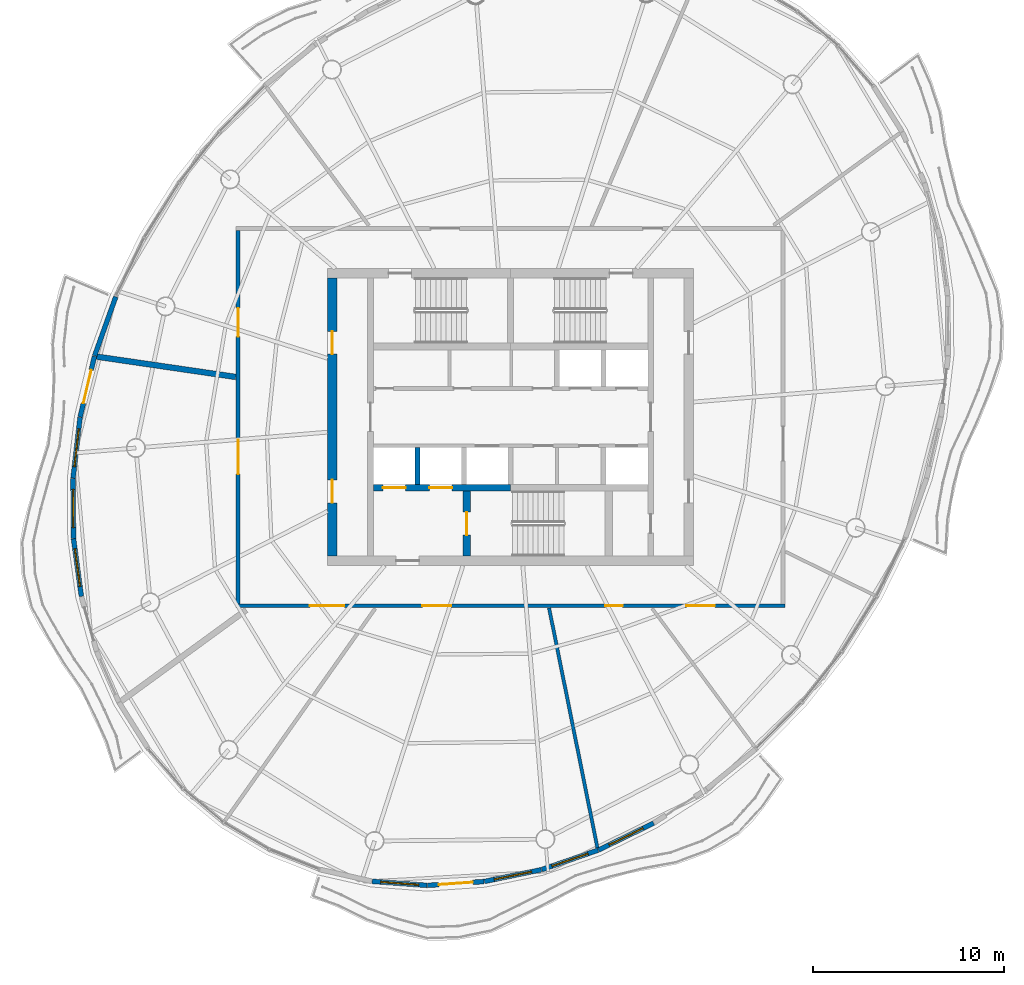
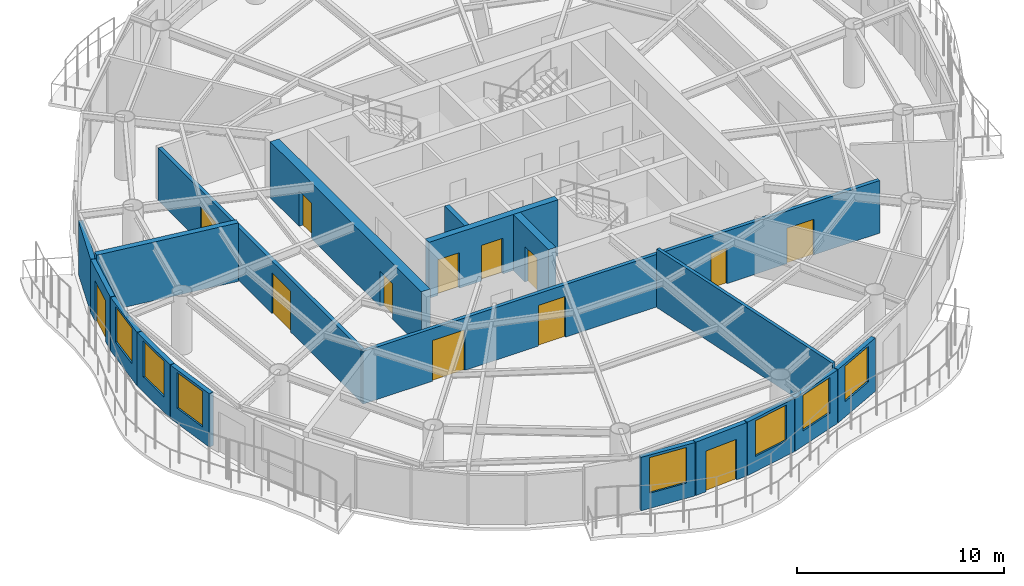
# One storey, part 8 of 14: 18 walls, 13 doors, 7 windows, 20 openings.
"""IFC4 building model written with IfcOpenShell, lengths in metres."""

from ifc_helpers import new_model, si_unit, direction, frame, frame_2d, origin, place, context, subcontext, project, spatial, rectangle, extrude, material, layer, layer_set, type_object, element, fill, save


model = new_model("IFC4")

# Units and contexts
model_context = context("Model", 3, precision=1e-05, world=origin(), true_north=direction((0.0, 1.0)))
body_context = subcontext(model_context, "Body", "Model", "MODEL_VIEW")
ifc_project = project(units=[si_unit("LENGTHUNIT", "METRE"), si_unit("AREAUNIT", "SQUARE_METRE"), si_unit("VOLUMEUNIT", "CUBIC_METRE"), si_unit("PLANEANGLEUNIT", "RADIAN"), si_unit("MASSUNIT", "GRAM", prefix="KILO")], contexts=[model_context])

# Site, building, storey
site_placement = place(None, origin())
site = spatial("IfcSite", under=ifc_project, at=site_placement, CompositionType="ELEMENT")
building_placement = place(site_placement, origin())
building = spatial("IfcBuilding", under=site, at=building_placement, Name="Vermilion Reach Broadcast Tower", CompositionType="ELEMENT")
storey_placement = place(building_placement, frame((0.0, 0.0, 254.10009765625)))
storey = spatial("IfcBuildingStorey", under=building, at=storey_placement, Name="L62", CompositionType="ELEMENT", Elevation=254.10009765625)

# Wall, openings, doors
ifc_material_1 = material(Name="Concrete C50", Category="concrete")
ifc_layer_1 = layer(ifc_material_1, 0.35009765625)
ifc_layer_set_1 = layer_set([ifc_layer_1], Name="Core inner wall 350 mm Concrete C50")
wall_type_1 = type_object("IfcWallType", Name="Core inner wall 350 mm Concrete C50", PredefinedType="SHEAR", material=ifc_layer_set_1)
wall_1_placement = place(storey_placement, frame((-13.199951171875, -3.705078125, 0.0), z_axis=(0.0, 0.0, 1.0), x_axis=(1.0, 0.0, 0.0)))
wall_1 = element("IfcWall", 1, at=wall_1_placement, inside=storey, type_object=wall_type_1, Name="L62 core wall wisW", PredefinedType="SHEAR", context=body_context, shape_type="SweptSolid", body=[
    extrude(rectangle(XDim=7.199951171875, YDim=0.35009765625, at=frame_2d((3.60009765625, 0.0))), origin(), (0.0, 0.0, 1.0), 3.2998046875),
])
opening_1_placement = place(wall_1_placement, frame((0.495849609375, 0.0, 0.0)))
opening_1 = element("IfcOpeningElement", 2, at=opening_1_placement, cuts=wall_1, Name="Opening LD1", PredefinedType="OPENING", context=body_context, shape_type="SweptSolid", body=[
    extrude(rectangle(XDim=1.199951171875, YDim=2.10009765625, at=frame_2d((0.60009765625, 1.050048828125))), frame((0.0, 0.18505859375, 0.0), z_axis=(0.0, -1.0, 0.0), x_axis=(1.0, 0.0, 0.0)), (0.0, 0.0, 1.0), 0.3701171875),
])
opening_2_placement = place(wall_1_placement, frame((2.9375, 0.0, 0.0)))
opening_2 = element("IfcOpeningElement", 3, at=opening_2_placement, cuts=wall_1, Name="Opening LD1", PredefinedType="OPENING", context=body_context, shape_type="SweptSolid", body=[
    extrude(rectangle(XDim=1.199951171875, YDim=2.10009765625, at=frame_2d((0.60009765625, 1.050048828125))), frame((0.0, 0.18505859375, 0.0), z_axis=(0.0, -1.0, 0.0), x_axis=(1.0, 0.0, 0.0)), (0.0, 0.0, 1.0), 0.3701171875),
])
ifc_material_2 = material(Name="Stainless steel", Category="steel")
door_type_1 = type_object("IfcDoorType", Name="Landing door 1200 x 2100", OperationType="DOUBLE_DOOR_SLIDING", PredefinedType="NOTDEFINED", material=ifc_material_2)
door_1_placement = place(opening_1_placement, origin())
door_1 = element("IfcDoor", 4, at=door_1_placement, inside=storey, type_object=door_type_1, Name="L62 landing door FF1", OperationType="DOUBLE_DOOR_SLIDING", OverallHeight=2.10009765625, OverallWidth=1.199951171875, PredefinedType="NOTDEFINED", context=body_context, shape_type="SweptSolid", body=[
    extrude(rectangle(XDim=1.199951171875, YDim=2.10009765625, at=frame_2d((0.60009765625, 1.050048828125))), frame((0.0, 0.02490234375, 0.0), z_axis=(0.0, -1.0, 0.0), x_axis=(1.0, 0.0, 0.0)), (0.0, 0.0, 1.0), 0.050048828125),
])
fill(opening_1, door_1)
door_2_placement = place(opening_2_placement, origin())
door_2 = element("IfcDoor", 5, at=door_2_placement, inside=storey, type_object=door_type_1, Name="L62 landing door FF2", OperationType="DOUBLE_DOOR_SLIDING", OverallHeight=2.10009765625, OverallWidth=1.199951171875, PredefinedType="NOTDEFINED", context=body_context, shape_type="SweptSolid", body=[
    extrude(rectangle(XDim=1.199951171875, YDim=2.10009765625, at=frame_2d((0.60009765625, 1.050048828125))), frame((0.0, 0.02490234375, 0.0), z_axis=(0.0, -1.0, 0.0), x_axis=(1.0, 0.0, 0.0)), (0.0, 0.0, 1.0), 0.050048828125),
])
fill(opening_2, door_2)

# Wall, opening, door
ifc_material_3 = material(Name="Concrete C50", Category="concrete")
ifc_layer_2 = layer(ifc_material_3, 0.39990234375)
ifc_layer_set_2 = layer_set([ifc_layer_2], Name="Core inner wall 400 mm Concrete C50")
wall_type_2 = type_object("IfcWallType", Name="Core inner wall 400 mm Concrete C50", PredefinedType="SHEAR", material=ifc_layer_set_2)
wall_2_placement = place(storey_placement, frame((-8.300048828125, -3.8798828125, 0.0), z_axis=(0.0, 0.0, 1.0), x_axis=(0.0, -1.0, 0.0)))
wall_2 = element("IfcWall", 6, at=wall_2_placement, inside=storey, type_object=wall_type_2, Name="L62 core wall wa", PredefinedType="SHEAR", context=body_context, shape_type="SweptSolid", body=[
    extrude(rectangle(XDim=3.420166015625, YDim=0.39990234375, at=frame_2d((1.7099609375, 0.0))), origin(), (0.0, 0.0, 1.0), 3.2998046875),
])
opening_3_placement = place(wall_2_placement, frame((1.110107421875, 0.0, 0.0)))
opening_3 = element("IfcOpeningElement", 7, at=opening_3_placement, cuts=wall_2, Name="Opening D01", PredefinedType="OPENING", context=body_context, shape_type="SweptSolid", body=[
    extrude(rectangle(XDim=1.199951171875, YDim=2.10009765625, at=frame_2d((0.60009765625, 1.050048828125))), frame((0.0, 0.2099609375, 0.0), z_axis=(0.0, -1.0, 0.0), x_axis=(1.0, 0.0, 0.0)), (0.0, 0.0, 1.0), 0.419921875),
])
ifc_material_4 = material(Name="Painted steel fire door", Category="steel")
door_type_2 = type_object("IfcDoorType", Name="Stair door 1200 x 2100", OperationType="DOUBLE_DOOR_SINGLE_SWING", PredefinedType="NOTDEFINED", material=ifc_material_4)
door_3_placement = place(opening_3_placement, origin())
door_3 = element("IfcDoor", 8, at=door_3_placement, inside=storey, type_object=door_type_2, Name="L62 stair door ST3", OperationType="DOUBLE_DOOR_SINGLE_SWING", OverallHeight=2.10009765625, OverallWidth=1.199951171875, PredefinedType="NOTDEFINED", context=body_context, shape_type="SweptSolid", body=[
    extrude(rectangle(XDim=1.199951171875, YDim=2.10009765625, at=frame_2d((0.60009765625, 1.050048828125))), frame((0.0, 0.02490234375, 0.0), z_axis=(0.0, -1.0, 0.0), x_axis=(1.0, 0.0, 0.0)), (0.0, 0.0, 1.0), 0.050048828125),
])
fill(opening_3, door_3)

# Wall, openings, doors
ifc_material_5 = material(Name="Concrete C50", Category="concrete")
ifc_layer_3 = layer(ifc_material_5, 0.5)
ifc_layer_set_3 = layer_set([ifc_layer_3], Name="Core outer wall 500 mm Concrete C50")
wall_type_3 = type_object("IfcWallType", Name="Core outer wall 500 mm Concrete C50", PredefinedType="SHEAR", material=ifc_layer_set_3)
wall_3_placement = place(storey_placement, frame((-15.35009765625, 7.300048828125, 0.0), z_axis=(0.0, 0.0, 1.0), x_axis=(0.0, -1.0, 0.0)))
wall_3 = element("IfcWall", 9, at=wall_3_placement, inside=storey, type_object=wall_type_3, Name="L62 core wall ow", PredefinedType="SHEAR", context=body_context, shape_type="SweptSolid", body=[
    extrude(rectangle(XDim=14.60009765625, YDim=0.5, at=frame_2d((7.300048828125, 0.0))), origin(), (0.0, 0.0, 1.0), 3.2998046875),
])
opening_4_placement = place(wall_3_placement, frame((10.60009765625, 0.0, 0.0)))
opening_4 = element("IfcOpeningElement", 10, at=opening_4_placement, cuts=wall_3, Name="Opening D03", PredefinedType="OPENING", context=body_context, shape_type="SweptSolid", body=[
    extrude(rectangle(XDim=1.199951171875, YDim=2.10009765625, at=frame_2d((0.60009765625, 1.050048828125))), frame((0.0, 0.260009765625, 0.0), z_axis=(0.0, -1.0, 0.0), x_axis=(1.0, 0.0, 0.0)), (0.0, 0.0, 1.0), 0.52001953125),
])
opening_5_placement = place(wall_3_placement, frame((2.800048828125, 0.0, 0.0)))
opening_5 = element("IfcOpeningElement", 11, at=opening_5_placement, cuts=wall_3, Name="Opening D03", PredefinedType="OPENING", context=body_context, shape_type="SweptSolid", body=[
    extrude(rectangle(XDim=1.199951171875, YDim=2.10009765625, at=frame_2d((0.60009765625, 1.050048828125))), frame((0.0, 0.260009765625, 0.0), z_axis=(0.0, -1.0, 0.0), x_axis=(1.0, 0.0, 0.0)), (0.0, 0.0, 1.0), 0.52001953125),
])
ifc_material_6 = material(Name="Painted steel fire door", Category="steel")
door_type_3 = type_object("IfcDoorType", Name="Core lobby door 1200 x 2100", OperationType="DOUBLE_DOOR_SINGLE_SWING", PredefinedType="NOTDEFINED", material=ifc_material_6)
door_4_placement = place(opening_4_placement, origin())
door_4 = element("IfcDoor", 12, at=door_4_placement, inside=storey, type_object=door_type_3, Name="L62 slot door W0", OperationType="DOUBLE_DOOR_SINGLE_SWING", OverallHeight=2.10009765625, OverallWidth=1.199951171875, PredefinedType="NOTDEFINED", context=body_context, shape_type="SweptSolid", body=[
    extrude(rectangle(XDim=1.199951171875, YDim=2.10009765625, at=frame_2d((0.60009765625, 1.050048828125))), frame((0.0, 0.02490234375, 0.0), z_axis=(0.0, -1.0, 0.0), x_axis=(1.0, 0.0, 0.0)), (0.0, 0.0, 1.0), 0.050048828125),
])
fill(opening_4, door_4)
door_5_placement = place(opening_5_placement, origin())
door_5 = element("IfcDoor", 13, at=door_5_placement, inside=storey, type_object=door_type_3, Name="L62 slot door W1", OperationType="DOUBLE_DOOR_SINGLE_SWING", OverallHeight=2.10009765625, OverallWidth=1.199951171875, PredefinedType="NOTDEFINED", context=body_context, shape_type="SweptSolid", body=[
    extrude(rectangle(XDim=1.199951171875, YDim=2.10009765625, at=frame_2d((0.60009765625, 1.050048828125))), frame((0.0, 0.02490234375, 0.0), z_axis=(0.0, -1.0, 0.0), x_axis=(1.0, 0.0, 0.0)), (0.0, 0.0, 1.0), 0.050048828125),
])
fill(opening_5, door_5)

# Walls
ifc_material_7 = material(Name="Concrete C50", Category="concrete")
ifc_layer_4 = layer(ifc_material_7, 0.25)
ifc_layer_set_4 = layer_set([ifc_layer_4], Name="Core shaft wall 250 mm Concrete C50")
wall_type_4 = type_object("IfcWallType", Name="Core shaft wall 250 mm Concrete C50", PredefinedType="SHEAR", material=ifc_layer_set_4)
wall_4_placement = place(storey_placement, frame((-10.88330078125, -1.60009765625, 0.0), z_axis=(0.0, 0.0, 1.0), x_axis=(0.0, -1.0, 0.0)))
element("IfcWall", 14, at=wall_4_placement, inside=storey, type_object=wall_type_4, Name="L62 core wall psS0", PredefinedType="SHEAR", context=body_context, shape_type="SweptSolid", body=[
    extrude(rectangle(XDim=1.929931640625, YDim=0.25, at=frame_2d((0.96484375, 0.0))), origin(), (0.0, 0.0, 1.0), 3.2998046875),
])
ifc_material_8 = material(Name="Fire-rated block, plastered")
ifc_layer_5 = layer(ifc_material_8, 0.175048828125)
ifc_layer_set_5 = layer_set([ifc_layer_5], Name="Partition 175 fire-rated block")
wall_type_5 = type_object("IfcWallType", Name="Partition 175 fire-rated block", PredefinedType="PARTITIONING", material=ifc_layer_set_5)
wall_5_placement = place(storey_placement, frame((-1.44140625, -22.607421875, 0.0), z_axis=(0.0, 0.0, 1.0), x_axis=(-0.197654886064, 0.980271669495, 0.0)))
element("IfcWall", 15, at=wall_5_placement, inside=storey, type_object=wall_type_5, Name="Partition 62.06", PredefinedType="PARTITIONING", context=body_context, shape_type="SweptSolid", body=[
    extrude(rectangle(XDim=12.843505859375, YDim=0.175048828125, at=frame_2d((6.421875, 0.0))), origin(), (0.0, 0.0, 1.0), 3.449951171875),
])
ifc_material_9 = material(Name="Double-leaf plasterboard on isolated steel stud", Category="steel")
ifc_layer_6 = layer(ifc_material_9, 0.300048828125)
ifc_layer_set_6 = layer_set([ifc_layer_6], Name="Partition 300 acoustic double leaf")
wall_type_6 = type_object("IfcWallType", Name="Partition 300 acoustic double leaf", PredefinedType="PARTITIONING", material=ifc_layer_set_6)
wall_6_placement = place(storey_placement, frame((-27.71240234375, 3.1708984375, 0.0), z_axis=(0.0, 0.0, 1.0), x_axis=(0.98950467143, -0.144500883103, 0.0)))
element("IfcWall", 16, at=wall_6_placement, inside=storey, type_object=wall_type_6, Name="Partition 62.03", PredefinedType="PARTITIONING", context=body_context, shape_type="SweptSolid", body=[
    extrude(rectangle(XDim=7.3681640625, YDim=0.300048828125, at=frame_2d((3.68408203125, 0.0))), origin(), (0.0, 0.0, 1.0), 3.449951171875),
])
ifc_material_10 = material(Name="Terracotta rainscreen cladding", Category="masonry")
ifc_layer_7 = layer(ifc_material_10, 0.25)
ifc_layer_set_7 = layer_set([ifc_layer_7], Name="Terracotta rainscreen wall 250")
wall_type_7 = type_object("IfcWallType", Name="Terracotta rainscreen wall 250", PredefinedType="SOLIDWALL", material=ifc_layer_set_7)
wall_7_placement = place(storey_placement, frame((-26.717529296875, 6.3134765625, 0.0), z_axis=(0.0, 0.0, 1.0), x_axis=(-0.337652360294, -0.941270887464, 0.0)))
element("IfcWall", 17, at=wall_7_placement, inside=storey, type_object=wall_type_7, Name="External wall L62 14", PredefinedType="SOLIDWALL", context=body_context, shape_type="SweptSolid", body=[
    extrude(rectangle(XDim=3.289794921875, YDim=0.25, at=frame_2d((1.64501953125, 0.0))), origin(), (0.0, 0.0, 1.0), 3.14990234375),
])

# Wall, opening, door
wall_8_placement = place(storey_placement, frame((-27.834716796875, 3.195556640625, 0.0), z_axis=(0.0, 0.0, 1.0), x_axis=(-0.229620288748, -0.973280290048, 0.0)))
wall_8 = element("IfcWall", 18, at=wall_8_placement, inside=storey, type_object=wall_type_7, Name="External wall L62 15", PredefinedType="SOLIDWALL", context=body_context, shape_type="SweptSolid", body=[
    extrude(rectangle(XDim=3.279052734375, YDim=0.25, at=frame_2d((1.6396484375, 0.0))), origin(), (0.0, 0.0, 1.0), 3.14990234375),
])
opening_6_placement = place(wall_8_placement, frame((0.739990234375, 0.0, 0.0)))
opening_6 = element("IfcOpeningElement", 19, at=opening_6_placement, cuts=wall_8, Name="Opening D70", PredefinedType="OPENING", context=body_context, shape_type="SweptSolid", body=[
    extrude(rectangle(XDim=1.800048828125, YDim=2.39990234375, at=frame_2d((0.89990234375, 1.199951171875))), frame((0.0, 0.135009765625, 0.0), z_axis=(0.0, -1.0, 0.0), x_axis=(1.0, 0.0, 0.0)), (0.0, 0.0, 1.0), 0.27001953125),
])
ifc_material_11 = material(Name="Low-e laminated clear glass in aluminium frame", Category="aluminium")
door_type_4 = type_object("IfcDoorType", Name="Balcony sliding door 1800 x 2400", OperationType="DOUBLE_DOOR_SLIDING", PredefinedType="DOOR", material=ifc_material_11)
door_6_placement = place(opening_6_placement, origin())
door_6 = element("IfcDoor", 20, at=door_6_placement, inside=storey, type_object=door_type_4, Name="Balcony door L62 run 04", OperationType="DOUBLE_DOOR_SLIDING", OverallHeight=2.39990234375, OverallWidth=1.800048828125, PredefinedType="DOOR", context=body_context, shape_type="SweptSolid", body=[
    extrude(rectangle(XDim=1.800048828125, YDim=2.39990234375, at=frame_2d((0.89990234375, 1.199951171875))), frame((0.0, 0.02490234375, 0.0), z_axis=(0.0, -1.0, 0.0), x_axis=(1.0, 0.0, 0.0)), (0.0, 0.0, 1.0), 0.050048828125),
])
fill(opening_6, door_6)

# Wall, opening, window
wall_9_placement = place(storey_placement, frame((-28.591552734375, -0.01806640625, 0.0), z_axis=(0.0, 0.0, 1.0), x_axis=(-0.114612561175, -0.993410268127, 0.0)))
wall_9 = element("IfcWall", 21, at=wall_9_placement, inside=storey, type_object=wall_type_7, Name="External wall L62 16", PredefinedType="SOLIDWALL", context=body_context, shape_type="SweptSolid", body=[
    extrude(rectangle(XDim=3.210205078125, YDim=0.25, at=frame_2d((1.60498046875, 0.0))), origin(), (0.0, 0.0, 1.0), 3.14990234375),
])
opening_7_placement = place(wall_9_placement, frame((0.60498046875, 0.0, 0.89990234375)))
opening_7 = element("IfcOpeningElement", 22, at=opening_7_placement, cuts=wall_9, Name="Opening W03", PredefinedType="OPENING", context=body_context, shape_type="SweptSolid", body=[
    extrude(rectangle(XDim=2.0, YDim=2.10009765625, at=frame_2d((1.0, 1.050048828125))), frame((0.0, 0.135009765625, 0.0), z_axis=(0.0, -1.0, 0.0), x_axis=(1.0, 0.0, 0.0)), (0.0, 0.0, 1.0), 0.27001953125),
])
ifc_material_12 = material(Name="Low-e laminated clear glass in aluminium frame", Category="aluminium")
window_type = type_object("IfcWindowType", Name="Punched window 2000 x 2100 sill 900", PartitioningType="SINGLE_PANEL", PredefinedType="WINDOW", material=ifc_material_12)
window_1_placement = place(opening_7_placement, origin())
window_1 = element("IfcWindow", 23, at=window_1_placement, inside=storey, type_object=window_type, Name="Window L62 16", OverallHeight=2.10009765625, OverallWidth=2.0, PartitioningType="SINGLE_PANEL", PredefinedType="WINDOW", context=body_context, shape_type="SweptSolid", body=[
    extrude(rectangle(XDim=2.0, YDim=2.10009765625, at=frame_2d((1.0, 1.050048828125))), frame((0.0, 0.030029296875, 0.0), z_axis=(0.0, -1.0, 0.0), x_axis=(1.0, 0.0, 0.0)), (0.0, 0.0, 1.0), 0.06005859375),
])
fill(opening_7, window_1)

wall_10_placement = place(storey_placement, frame((-28.960693359375, -3.230224609375, 0.0), z_axis=(0.0, 0.0, 1.0), x_axis=(0.007406626712, -0.999972570564, 0.0)))
wall_10 = element("IfcWall", 24, at=wall_10_placement, inside=storey, type_object=wall_type_7, Name="External wall L62 17", PredefinedType="SOLIDWALL", context=body_context, shape_type="SweptSolid", body=[
    extrude(rectangle(XDim=3.13134765625, YDim=0.25, at=frame_2d((1.565673828125, 0.0))), origin(), (0.0, 0.0, 1.0), 3.14990234375),
])
opening_8_placement = place(wall_10_placement, frame((0.565673828125, 0.0, 0.89990234375)))
opening_8 = element("IfcOpeningElement", 25, at=opening_8_placement, cuts=wall_10, Name="Opening W03", PredefinedType="OPENING", context=body_context, shape_type="SweptSolid", body=[
    extrude(rectangle(XDim=2.0, YDim=2.10009765625, at=frame_2d((1.0, 1.050048828125))), frame((0.0, 0.135009765625, 0.0), z_axis=(0.0, -1.0, 0.0), x_axis=(1.0, 0.0, 0.0)), (0.0, 0.0, 1.0), 0.27001953125),
])
window_2_placement = place(opening_8_placement, origin())
window_2 = element("IfcWindow", 26, at=window_2_placement, inside=storey, type_object=window_type, Name="Window L62 17", OverallHeight=2.10009765625, OverallWidth=2.0, PartitioningType="SINGLE_PANEL", PredefinedType="WINDOW", context=body_context, shape_type="SweptSolid", body=[
    extrude(rectangle(XDim=2.0, YDim=2.10009765625, at=frame_2d((1.0, 1.050048828125))), frame((0.0, 0.030029296875, 0.0), z_axis=(0.0, -1.0, 0.0), x_axis=(1.0, 0.0, 0.0)), (0.0, 0.0, 1.0), 0.06005859375),
])
fill(opening_8, window_2)

wall_11_placement = place(storey_placement, frame((-28.935791015625, -6.3857421875, 0.0), z_axis=(0.0, 0.0, 1.0), x_axis=(0.135295507902, -0.990805291438, 0.0)))
wall_11 = element("IfcWall", 27, at=wall_11_placement, inside=storey, type_object=wall_type_7, Name="External wall L62 18", PredefinedType="SOLIDWALL", context=body_context, shape_type="SweptSolid", body=[
    extrude(rectangle(XDim=3.0478515625, YDim=0.25, at=frame_2d((1.52392578125, 0.0))), origin(), (0.0, 0.0, 1.0), 3.14990234375),
])
opening_9_placement = place(wall_11_placement, frame((0.52392578125, 0.0, 0.89990234375)))
opening_9 = element("IfcOpeningElement", 28, at=opening_9_placement, cuts=wall_11, Name="Opening W03", PredefinedType="OPENING", context=body_context, shape_type="SweptSolid", body=[
    extrude(rectangle(XDim=2.0, YDim=2.10009765625, at=frame_2d((1.0, 1.050048828125))), frame((0.0, 0.135009765625, 0.0), z_axis=(0.0, -1.0, 0.0), x_axis=(1.0, 0.0, 0.0)), (0.0, 0.0, 1.0), 0.27001953125),
])
window_3_placement = place(opening_9_placement, origin())
window_3 = element("IfcWindow", 29, at=window_3_placement, inside=storey, type_object=window_type, Name="Window L62 18", OverallHeight=2.10009765625, OverallWidth=2.0, PartitioningType="SINGLE_PANEL", PredefinedType="WINDOW", context=body_context, shape_type="SweptSolid", body=[
    extrude(rectangle(XDim=2.0, YDim=2.10009765625, at=frame_2d((1.0, 1.050048828125))), frame((0.0, 0.030029296875, 0.0), z_axis=(0.0, -1.0, 0.0), x_axis=(1.0, 0.0, 0.0)), (0.0, 0.0, 1.0), 0.06005859375),
])
fill(opening_9, window_3)

wall_12_placement = place(storey_placement, frame((-13.26123046875, -24.36181640625, 0.0), z_axis=(0.0, 0.0, 1.0), x_axis=(0.997260599476, -0.073968214338, 0.0)))
wall_12 = element("IfcWall", 30, at=wall_12_placement, inside=storey, type_object=wall_type_7, Name="External wall L62 27", PredefinedType="SOLIDWALL", context=body_context, shape_type="SweptSolid", body=[
    extrude(rectangle(XDim=2.887939453125, YDim=0.25, at=frame_2d((1.44384765625, 0.0))), origin(), (0.0, 0.0, 1.0), 3.14990234375),
])
opening_10_placement = place(wall_12_placement, frame((0.444091796875, 0.0, 0.89990234375)))
opening_10 = element("IfcOpeningElement", 31, at=opening_10_placement, cuts=wall_12, Name="Opening W03", PredefinedType="OPENING", context=body_context, shape_type="SweptSolid", body=[
    extrude(rectangle(XDim=2.0, YDim=2.10009765625, at=frame_2d((1.0, 1.050048828125))), frame((0.0, 0.135009765625, 0.0), z_axis=(0.0, -1.0, 0.0), x_axis=(1.0, 0.0, 0.0)), (0.0, 0.0, 1.0), 0.27001953125),
])
window_4_placement = place(opening_10_placement, origin())
window_4 = element("IfcWindow", 32, at=window_4_placement, inside=storey, type_object=window_type, Name="Window L62 27", OverallHeight=2.10009765625, OverallWidth=2.0, PartitioningType="SINGLE_PANEL", PredefinedType="WINDOW", context=body_context, shape_type="SweptSolid", body=[
    extrude(rectangle(XDim=2.0, YDim=2.10009765625, at=frame_2d((1.0, 1.050048828125))), frame((0.0, 0.030029296875, 0.0), z_axis=(0.0, -1.0, 0.0), x_axis=(1.0, 0.0, 0.0)), (0.0, 0.0, 1.0), 0.06005859375),
])
fill(opening_10, window_4)

# Wall, opening, door
wall_13_placement = place(storey_placement, frame((-10.35546875, -24.575439453125, 0.0), z_axis=(0.0, 0.0, 1.0), x_axis=(0.99766702353, 0.068267929221, 0.0)))
wall_13 = element("IfcWall", 33, at=wall_13_placement, inside=storey, type_object=wall_type_7, Name="External wall L62 28", PredefinedType="SOLIDWALL", context=body_context, shape_type="SweptSolid", body=[
    extrude(rectangle(XDim=2.964599609375, YDim=0.25, at=frame_2d((1.482421875, 0.0))), origin(), (0.0, 0.0, 1.0), 3.14990234375),
])
opening_11_placement = place(wall_13_placement, frame((0.58203125, 0.0, 0.0)))
opening_11 = element("IfcOpeningElement", 34, at=opening_11_placement, cuts=wall_13, Name="Opening D70", PredefinedType="OPENING", context=body_context, shape_type="SweptSolid", body=[
    extrude(rectangle(XDim=1.800048828125, YDim=2.39990234375, at=frame_2d((0.89990234375, 1.199951171875))), frame((0.0, 0.135009765625, 0.0), z_axis=(0.0, -1.0, 0.0), x_axis=(1.0, 0.0, 0.0)), (0.0, 0.0, 1.0), 0.27001953125),
])
door_7_placement = place(opening_11_placement, origin())
door_7 = element("IfcDoor", 35, at=door_7_placement, inside=storey, type_object=door_type_4, Name="Balcony door L62 run 07", OperationType="DOUBLE_DOOR_SLIDING", OverallHeight=2.39990234375, OverallWidth=1.800048828125, PredefinedType="DOOR", context=body_context, shape_type="SweptSolid", body=[
    extrude(rectangle(XDim=1.800048828125, YDim=2.39990234375, at=frame_2d((0.89990234375, 1.199951171875))), frame((0.0, 0.02490234375, 0.0), z_axis=(0.0, -1.0, 0.0), x_axis=(1.0, 0.0, 0.0)), (0.0, 0.0, 1.0), 0.050048828125),
])
fill(opening_11, door_7)

# Wall, opening, window
wall_14_placement = place(storey_placement, frame((-7.373046875, -24.36962890625, 0.0), z_axis=(0.0, 0.0, 1.0), x_axis=(0.979363870878, 0.202104944072, 0.0)))
wall_14 = element("IfcWall", 36, at=wall_14_placement, inside=storey, type_object=wall_type_7, Name="External wall L62 29", PredefinedType="SOLIDWALL", context=body_context, shape_type="SweptSolid", body=[
    extrude(rectangle(XDim=3.0478515625, YDim=0.25, at=frame_2d((1.52392578125, 0.0))), origin(), (0.0, 0.0, 1.0), 3.14990234375),
])
opening_12_placement = place(wall_14_placement, frame((0.52392578125, 0.0, 0.89990234375)))
opening_12 = element("IfcOpeningElement", 37, at=opening_12_placement, cuts=wall_14, Name="Opening W03", PredefinedType="OPENING", context=body_context, shape_type="SweptSolid", body=[
    extrude(rectangle(XDim=2.0, YDim=2.10009765625, at=frame_2d((1.0, 1.050048828125))), frame((0.0, 0.135009765625, 0.0), z_axis=(0.0, -1.0, 0.0), x_axis=(1.0, 0.0, 0.0)), (0.0, 0.0, 1.0), 0.27001953125),
])
window_5_placement = place(opening_12_placement, origin())
window_5 = element("IfcWindow", 38, at=window_5_placement, inside=storey, type_object=window_type, Name="Window L62 29", OverallHeight=2.10009765625, OverallWidth=2.0, PartitioningType="SINGLE_PANEL", PredefinedType="WINDOW", context=body_context, shape_type="SweptSolid", body=[
    extrude(rectangle(XDim=2.0, YDim=2.10009765625, at=frame_2d((1.0, 1.050048828125))), frame((0.0, 0.030029296875, 0.0), z_axis=(0.0, -1.0, 0.0), x_axis=(1.0, 0.0, 0.0)), (0.0, 0.0, 1.0), 0.06005859375),
])
fill(opening_12, window_5)

wall_15_placement = place(storey_placement, frame((-4.364990234375, -23.747314453125, 0.0), z_axis=(0.0, 0.0, 1.0), x_axis=(0.945414397725, 0.325870551867, 0.0)))
wall_15 = element("IfcWall", 39, at=wall_15_placement, inside=storey, type_object=wall_type_7, Name="External wall L62 30", PredefinedType="SOLIDWALL", context=body_context, shape_type="SweptSolid", body=[
    extrude(rectangle(XDim=3.131591796875, YDim=0.25, at=frame_2d((1.56591796875, 0.0))), origin(), (0.0, 0.0, 1.0), 3.14990234375),
])
opening_13_placement = place(wall_15_placement, frame((0.565673828125, 0.0, 0.89990234375)))
opening_13 = element("IfcOpeningElement", 40, at=opening_13_placement, cuts=wall_15, Name="Opening W03", PredefinedType="OPENING", context=body_context, shape_type="SweptSolid", body=[
    extrude(rectangle(XDim=2.0, YDim=2.10009765625, at=frame_2d((1.0, 1.050048828125))), frame((0.0, 0.135009765625, 0.0), z_axis=(0.0, -1.0, 0.0), x_axis=(1.0, 0.0, 0.0)), (0.0, 0.0, 1.0), 0.27001953125),
])
window_6_placement = place(opening_13_placement, origin())
window_6 = element("IfcWindow", 41, at=window_6_placement, inside=storey, type_object=window_type, Name="Window L62 30", OverallHeight=2.10009765625, OverallWidth=2.0, PartitioningType="SINGLE_PANEL", PredefinedType="WINDOW", context=body_context, shape_type="SweptSolid", body=[
    extrude(rectangle(XDim=2.0, YDim=2.10009765625, at=frame_2d((1.0, 1.050048828125))), frame((0.0, 0.030029296875, 0.0), z_axis=(0.0, -1.0, 0.0), x_axis=(1.0, 0.0, 0.0)), (0.0, 0.0, 1.0), 0.06005859375),
])
fill(opening_13, window_6)

wall_16_placement = place(storey_placement, frame((-1.3828125, -22.7177734375, 0.0), z_axis=(0.0, 0.0, 1.0), x_axis=(0.898675594267, 0.438613926214, 0.0)))
wall_16 = element("IfcWall", 42, at=wall_16_placement, inside=storey, type_object=wall_type_7, Name="External wall L62 31", PredefinedType="SOLIDWALL", context=body_context, shape_type="SweptSolid", body=[
    extrude(rectangle(XDim=3.2099609375, YDim=0.25, at=frame_2d((1.60498046875, 0.0))), origin(), (0.0, 0.0, 1.0), 3.14990234375),
])
opening_14_placement = place(wall_16_placement, frame((0.60498046875, 0.0, 0.89990234375)))
opening_14 = element("IfcOpeningElement", 43, at=opening_14_placement, cuts=wall_16, Name="Opening W03", PredefinedType="OPENING", context=body_context, shape_type="SweptSolid", body=[
    extrude(rectangle(XDim=2.0, YDim=2.10009765625, at=frame_2d((1.0, 1.050048828125))), frame((0.0, 0.135009765625, 0.0), z_axis=(0.0, -1.0, 0.0), x_axis=(1.0, 0.0, 0.0)), (0.0, 0.0, 1.0), 0.27001953125),
])
window_7_placement = place(opening_14_placement, origin())
window_7 = element("IfcWindow", 44, at=window_7_placement, inside=storey, type_object=window_type, Name="Window L62 31", OverallHeight=2.10009765625, OverallWidth=2.0, PartitioningType="SINGLE_PANEL", PredefinedType="WINDOW", context=body_context, shape_type="SweptSolid", body=[
    extrude(rectangle(XDim=2.0, YDim=2.10009765625, at=frame_2d((1.0, 1.050048828125))), frame((0.0, 0.030029296875, 0.0), z_axis=(0.0, -1.0, 0.0), x_axis=(1.0, 0.0, 0.0)), (0.0, 0.0, 1.0), 0.06005859375),
])
fill(opening_14, window_7)

# Wall, openings, doors
ifc_material_13 = material(Name="Fire-rated gypsum board partition")
ifc_layer_8 = layer(ifc_material_13, 0.199951171875)
ifc_layer_set_8 = layer_set([ifc_layer_8], Name="Under girder: Corridor wall 200 fire-rated")
wall_type_8 = type_object("IfcWallType", Name="Under girder: Corridor wall 200 fire-rated", PredefinedType="PARTITIONING", material=ifc_layer_set_8)
wall_17_placement = place(storey_placement, frame((8.39990234375, -9.89990234375, 0.0), z_axis=(0.0, 0.0, 1.0), x_axis=(-1.0, 0.0, 0.0)))
wall_17 = element("IfcWall", 45, at=wall_17_placement, inside=storey, type_object=wall_type_8, Name="Corridor wall 62.S", PredefinedType="PARTITIONING", context=body_context, shape_type="SweptSolid", body=[
    extrude(rectangle(XDim=28.7998046875, YDim=0.199951171875, at=frame_2d((14.39990234375, 0.0))), origin(), (0.0, 0.0, 1.0), 3.099853515625),
])
opening_15_placement = place(wall_17_placement, frame((23.125732421875, 0.0, 0.0)))
opening_15 = element("IfcOpeningElement", 46, at=opening_15_placement, cuts=wall_17, Name="Opening D27", PredefinedType="OPENING", context=body_context, shape_type="SweptSolid", body=[
    extrude(rectangle(XDim=1.800048828125, YDim=2.39990234375, at=frame_2d((0.89990234375, 1.199951171875))), frame((0.0, 0.10986328125, 0.0), z_axis=(0.0, -1.0, 0.0), x_axis=(1.0, 0.0, 0.0)), (0.0, 0.0, 1.0), 0.219970703125),
])
opening_16_placement = place(wall_17_placement, frame((17.522705078125, 0.0, 0.0)))
opening_16 = element("IfcOpeningElement", 47, at=opening_16_placement, cuts=wall_17, Name="Opening D25", PredefinedType="OPENING", context=body_context, shape_type="SweptSolid", body=[
    extrude(rectangle(XDim=1.5, YDim=2.39990234375, at=frame_2d((0.75, 1.199951171875))), frame((0.0, 0.10986328125, 0.0), z_axis=(0.0, -1.0, 0.0), x_axis=(1.0, 0.0, 0.0)), (0.0, 0.0, 1.0), 0.219970703125),
])
opening_17_placement = place(wall_17_placement, frame((8.520263671875, 0.0, 0.0)))
opening_17 = element("IfcOpeningElement", 48, at=opening_17_placement, cuts=wall_17, Name="Opening D22", PredefinedType="OPENING", context=body_context, shape_type="SweptSolid", body=[
    extrude(rectangle(XDim=0.89990234375, YDim=2.10009765625, at=frame_2d((0.449951171875, 1.050048828125))), frame((0.0, 0.10986328125, 0.0), z_axis=(0.0, -1.0, 0.0), x_axis=(1.0, 0.0, 0.0)), (0.0, 0.0, 1.0), 0.219970703125),
])
opening_18_placement = place(wall_17_placement, frame((3.68017578125, 0.0, 0.0)))
opening_18 = element("IfcOpeningElement", 49, at=opening_18_placement, cuts=wall_17, Name="Opening D24", PredefinedType="OPENING", context=body_context, shape_type="SweptSolid", body=[
    extrude(rectangle(XDim=1.5, YDim=2.10009765625, at=frame_2d((0.75, 1.050048828125))), frame((0.0, 0.10986328125, 0.0), z_axis=(0.0, -1.0, 0.0), x_axis=(1.0, 0.0, 0.0)), (0.0, 0.0, 1.0), 0.219970703125),
])
ifc_material_14 = material(Name="Timber door leaf", Category="wood")
door_type_5 = type_object("IfcDoorType", Name="Door pair 1500x2100", OperationType="NOTDEFINED", PredefinedType="DOOR", material=ifc_material_14)
door_8_placement = place(opening_18_placement, origin())
door_8 = element("IfcDoor", 50, at=door_8_placement, inside=storey, type_object=door_type_5, Name="Door 62.07", OperationType="DOUBLE_DOOR_SINGLE_SWING", OverallHeight=2.10009765625, OverallWidth=1.5, PredefinedType="DOOR", context=body_context, shape_type="SweptSolid", body=[
    extrude(rectangle(XDim=1.5, YDim=2.10009765625, at=frame_2d((0.75, 1.050048828125))), frame((0.0, 0.02490234375, 0.0), z_axis=(0.0, -1.0, 0.0), x_axis=(1.0, 0.0, 0.0)), (0.0, 0.0, 1.0), 0.050048828125),
])
fill(opening_18, door_8)
ifc_material_15 = material(Name="Glazed timber door leaf", Category="wood")
door_type_6 = type_object("IfcDoorType", Name="Door pair 1500x2400", OperationType="NOTDEFINED", PredefinedType="DOOR", material=ifc_material_15)
door_9_placement = place(opening_16_placement, origin())
door_9 = element("IfcDoor", 51, at=door_9_placement, inside=storey, type_object=door_type_6, Name="Door 62.05", OperationType="DOUBLE_DOOR_SINGLE_SWING", OverallHeight=2.39990234375, OverallWidth=1.5, PredefinedType="DOOR", context=body_context, shape_type="SweptSolid", body=[
    extrude(rectangle(XDim=1.5, YDim=2.39990234375, at=frame_2d((0.75, 1.199951171875))), frame((0.0, 0.02490234375, 0.0), z_axis=(0.0, -1.0, 0.0), x_axis=(1.0, 0.0, 0.0)), (0.0, 0.0, 1.0), 0.050048828125),
])
fill(opening_16, door_9)
ifc_material_16 = material(Name="Acoustic timber door leaf", Category="wood")
door_type_7 = type_object("IfcDoorType", Name="Door pair 1800x2400", OperationType="NOTDEFINED", PredefinedType="DOOR", material=ifc_material_16)
door_10_placement = place(opening_15_placement, origin())
door_10 = element("IfcDoor", 52, at=door_10_placement, inside=storey, type_object=door_type_7, Name="Door 62.04", OperationType="DOUBLE_DOOR_SINGLE_SWING", OverallHeight=2.39990234375, OverallWidth=1.800048828125, PredefinedType="DOOR", context=body_context, shape_type="SweptSolid", body=[
    extrude(rectangle(XDim=1.800048828125, YDim=2.39990234375, at=frame_2d((0.89990234375, 1.199951171875))), frame((0.0, 0.02490234375, 0.0), z_axis=(0.0, -1.0, 0.0), x_axis=(1.0, 0.0, 0.0)), (0.0, 0.0, 1.0), 0.050048828125),
])
fill(opening_15, door_10)
ifc_material_17 = material(Name="Timber door leaf", Category="wood")
door_type_8 = type_object("IfcDoorType", Name="Door single 900x2100", OperationType="NOTDEFINED", PredefinedType="DOOR", material=ifc_material_17)
door_11_placement = place(opening_17_placement, origin())
door_11 = element("IfcDoor", 53, at=door_11_placement, inside=storey, type_object=door_type_8, Name="Door 62.06", OperationType="SINGLE_SWING_LEFT", OverallHeight=2.10009765625, OverallWidth=0.89990234375, PredefinedType="DOOR", context=body_context, shape_type="SweptSolid", body=[
    extrude(rectangle(XDim=0.89990234375, YDim=2.10009765625, at=frame_2d((0.449951171875, 1.050048828125))), frame((0.0, 0.02490234375, 0.0), z_axis=(0.0, -1.0, 0.0), x_axis=(1.0, 0.0, 0.0)), (0.0, 0.0, 1.0), 0.050048828125),
])
fill(opening_17, door_11)

wall_18_placement = place(storey_placement, frame((-20.300048828125, -9.800048828125, 0.0), z_axis=(0.0, 0.0, 1.0), x_axis=(0.0, 1.0, 0.0)))
wall_18 = element("IfcWall", 54, at=wall_18_placement, inside=storey, type_object=wall_type_8, Name="Corridor wall 62.W", PredefinedType="PARTITIONING", context=body_context, shape_type="SweptSolid", body=[
    extrude(rectangle(XDim=19.60009765625, YDim=0.199951171875, at=frame_2d((9.800048828125, 0.0))), origin(), (0.0, 0.0, 1.0), 3.099853515625),
])
opening_19_placement = place(wall_18_placement, frame((14.02197265625, 0.0, 0.0)))
opening_19 = element("IfcOpeningElement", 55, at=opening_19_placement, cuts=wall_18, Name="Opening D24", PredefinedType="OPENING", context=body_context, shape_type="SweptSolid", body=[
    extrude(rectangle(XDim=1.5, YDim=2.10009765625, at=frame_2d((0.75, 1.050048828125))), frame((0.0, 0.10986328125, 0.0), z_axis=(0.0, -1.0, 0.0), x_axis=(1.0, 0.0, 0.0)), (0.0, 0.0, 1.0), 0.219970703125),
])
opening_20_placement = place(wall_18_placement, frame((6.81201171875, 0.0, 0.0)))
opening_20 = element("IfcOpeningElement", 56, at=opening_20_placement, cuts=wall_18, Name="Opening D27", PredefinedType="OPENING", context=body_context, shape_type="SweptSolid", body=[
    extrude(rectangle(XDim=1.800048828125, YDim=2.39990234375, at=frame_2d((0.89990234375, 1.199951171875))), frame((0.0, 0.10986328125, 0.0), z_axis=(0.0, -1.0, 0.0), x_axis=(1.0, 0.0, 0.0)), (0.0, 0.0, 1.0), 0.219970703125),
])
door_12_placement = place(opening_19_placement, origin())
door_12 = element("IfcDoor", 57, at=door_12_placement, inside=storey, type_object=door_type_5, Name="Door 62.02", OperationType="DOUBLE_DOOR_SINGLE_SWING", OverallHeight=2.10009765625, OverallWidth=1.5, PredefinedType="DOOR", context=body_context, shape_type="SweptSolid", body=[
    extrude(rectangle(XDim=1.5, YDim=2.10009765625, at=frame_2d((0.75, 1.050048828125))), frame((0.0, 0.02490234375, 0.0), z_axis=(0.0, -1.0, 0.0), x_axis=(1.0, 0.0, 0.0)), (0.0, 0.0, 1.0), 0.050048828125),
])
fill(opening_19, door_12)
door_13_placement = place(opening_20_placement, origin())
door_13 = element("IfcDoor", 58, at=door_13_placement, inside=storey, type_object=door_type_7, Name="Door 62.03", OperationType="DOUBLE_DOOR_SINGLE_SWING", OverallHeight=2.39990234375, OverallWidth=1.800048828125, PredefinedType="DOOR", context=body_context, shape_type="SweptSolid", body=[
    extrude(rectangle(XDim=1.800048828125, YDim=2.39990234375, at=frame_2d((0.89990234375, 1.199951171875))), frame((0.0, 0.02490234375, 0.0), z_axis=(0.0, -1.0, 0.0), x_axis=(1.0, 0.0, 0.0)), (0.0, 0.0, 1.0), 0.050048828125),
])
fill(opening_20, door_13)

save(model, "model.ifc")
